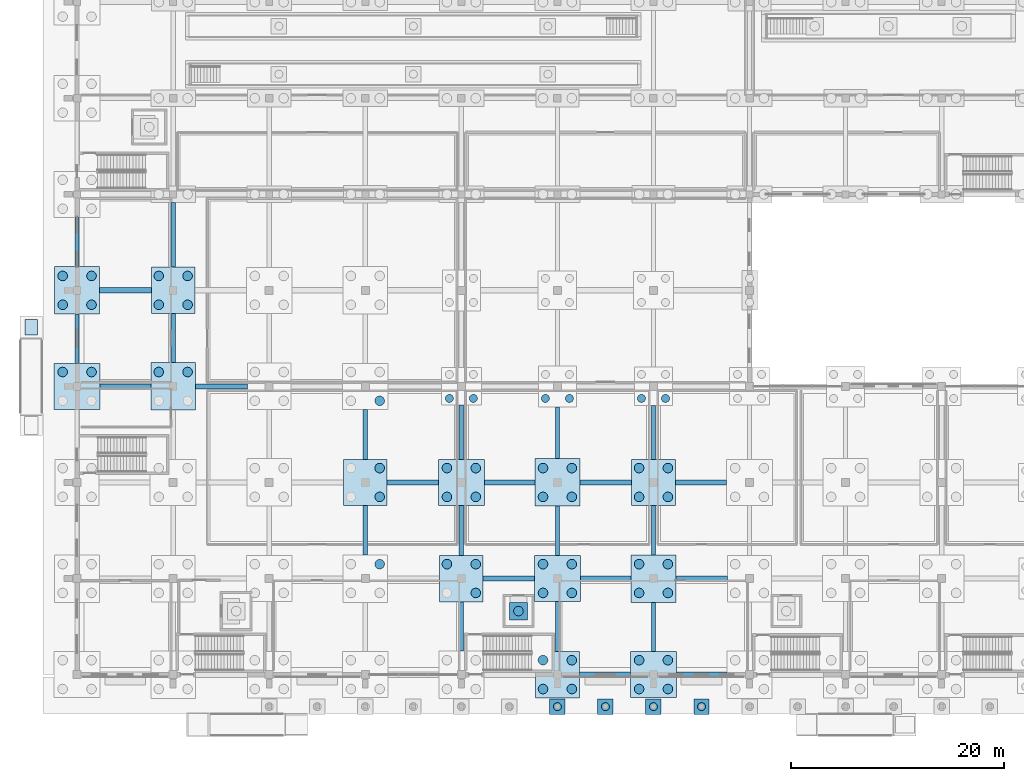
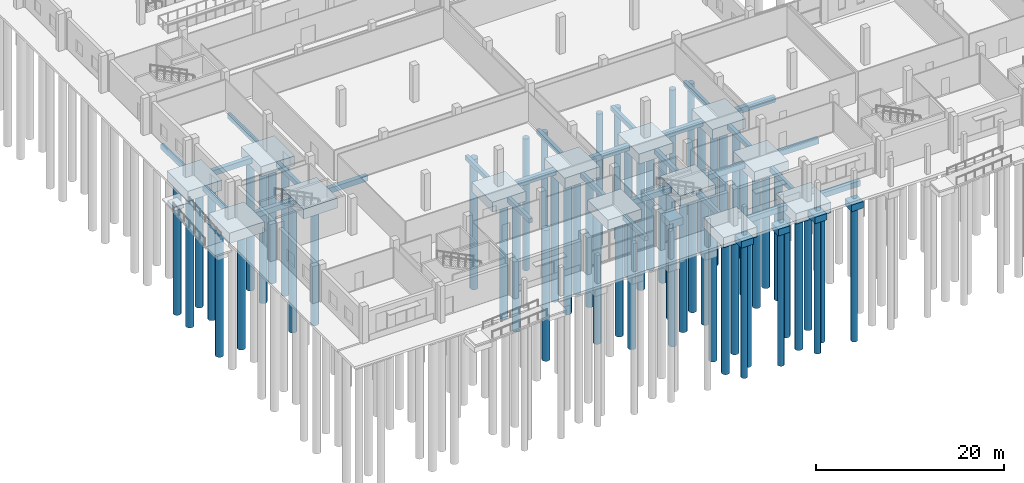
# One storey, part 2 of 112: 58 piles, 46 footings.
"""IFC4 building model written with IfcOpenShell, lengths in metres."""

from ifc_helpers import new_model, si_unit, direction, frame, origin, origin_2d, place, context, subcontext, project, spatial, polyline, rectangle, circle, outline, extrude, material, material_profile, profile_set, type_object, element, save


model = new_model("IFC4")

# Units and contexts
model_context = context("Model", 3, precision=1e-05, world=origin(), true_north=direction((0.0, 1.0)))
body_context = subcontext(model_context, "Body", "Model", "MODEL_VIEW")
ifc_project = project(units=[si_unit("LENGTHUNIT", "METRE"), si_unit("AREAUNIT", "SQUARE_METRE"), si_unit("VOLUMEUNIT", "CUBIC_METRE"), si_unit("PLANEANGLEUNIT", "RADIAN"), si_unit("MASSUNIT", "GRAM", prefix="KILO")], contexts=[model_context])

# Site, building, storey
site_placement = place(None, origin())
site = spatial("IfcSite", under=ifc_project, at=site_placement, CompositionType="ELEMENT")
building_placement = place(site_placement, origin())
building = spatial("IfcBuilding", under=site, at=building_placement, Name="Tharagai Park Tramway Depot", CompositionType="ELEMENT")
storey_placement = place(building_placement, origin())
storey = spatial("IfcBuildingStorey", under=building, at=storey_placement, Name="L00", CompositionType="ELEMENT", Elevation=0.0)

# Piles
ifc_material = material(Name="Concrete M40", Category="concrete")
ifc_material_profile_1 = material_profile(ifc_material, circle(Radius=0.449951171875, at=origin_2d()), Name="PILE D900")
ifc_profile_set_1 = profile_set([ifc_material_profile_1], Name="Concrete M40")
pile_type_1 = type_object("IfcPileType", Name="BP-01", PredefinedType="BORED", material=ifc_profile_set_1)
for number, where, z_axis, x_axis, name in (
    (1, (-1.35009765625, 28.35009765625, -1.550048828125), (0.0, 0.0, -1.0), (1.0, 0.0, 0.0), "Bored Pile BP-01 (0,27) #3"),
    (2, (1.35009765625, 28.35009765625, -1.550048828125), (0.0, 0.0, -1.0), (1.0, 0.0, 0.0), "Bored Pile BP-01 (0,27) #4"),
):
    element("IfcPile", number, at=place(storey_placement, frame(where, z_axis=z_axis, x_axis=x_axis)), inside=storey, type_object=pile_type_1, Name=name, PredefinedType="BORED", context=body_context, shape_type="SweptSolid", body=[
        extrude(circle(Radius=0.449951171875, at=origin_2d()), origin(), (0.0, 0.0, 1.0), 16.949951171875),
    ])
for number, where, z_axis, x_axis, name in (
    (3, (-1.35009765625, 34.64990234375, -1.5), (0.0, 0.0, -1.0), (1.0, 0.0, 0.0), "Bored Pile BP-01 (0,36) #1"),
    (4, (1.35009765625, 34.64990234375, -1.5), (0.0, 0.0, -1.0), (1.0, 0.0, 0.0), "Bored Pile BP-01 (0,36) #2"),
    (5, (-1.35009765625, 37.35009765625, -1.5), (0.0, 0.0, -1.0), (1.0, 0.0, 0.0), "Bored Pile BP-01 (0,36) #3"),
    (6, (1.35009765625, 37.35009765625, -1.5), (0.0, 0.0, -1.0), (1.0, 0.0, 0.0), "Bored Pile BP-01 (0,36) #4"),
    (7, (7.64990234375, 28.35009765625, -1.5), (0.0, 0.0, -1.0), (1.0, 0.0, 0.0), "Bored Pile BP-01 (9,27) #3"),
    (8, (10.35009765625, 28.35009765625, -1.5), (0.0, 0.0, -1.0), (1.0, 0.0, 0.0), "Bored Pile BP-01 (9,27) #4"),
):
    element("IfcPile", number, at=place(storey_placement, frame(where, z_axis=z_axis, x_axis=x_axis)), inside=storey, type_object=pile_type_1, Name=name, PredefinedType="BORED", context=body_context, shape_type="SweptSolid", body=[
        extrude(circle(Radius=0.449951171875, at=origin_2d()), origin(), (0.0, 0.0, 1.0), 17.0),
    ])
for number, where, z_axis, x_axis, name in (
    (9, (7.64990234375, 34.64990234375, -1.47998046875), (0.0, 0.0, -1.0), (1.0, 0.0, 0.0), "Bored Pile BP-01 (9,36) #1"),
    (10, (10.35009765625, 34.64990234375, -1.47998046875), (0.0, 0.0, -1.0), (1.0, 0.0, 0.0), "Bored Pile BP-01 (9,36) #2"),
    (11, (7.64990234375, 37.35009765625, -1.47998046875), (0.0, 0.0, -1.0), (1.0, 0.0, 0.0), "Bored Pile BP-01 (9,36) #3"),
    (12, (10.35009765625, 37.35009765625, -1.47998046875), (0.0, 0.0, -1.0), (1.0, 0.0, 0.0), "Bored Pile BP-01 (9,36) #4"),
):
    element("IfcPile", number, at=place(storey_placement, frame(where, z_axis=z_axis, x_axis=x_axis)), inside=storey, type_object=pile_type_1, Name=name, PredefinedType="BORED", context=body_context, shape_type="SweptSolid", body=[
        extrude(circle(Radius=0.449951171875, at=origin_2d()), origin(), (0.0, 0.0, 1.0), 17.02001953125),
    ])
pile_1_placement = place(storey_placement, frame((28.35009765625, 10.35009765625, -1.5), z_axis=(0.0, 0.0, -1.0), x_axis=(1.0, 0.0, 0.0)))
element("IfcPile", 13, at=pile_1_placement, inside=storey, type_object=pile_type_1, Name="Bored Pile BP-01 (27,9) #4", PredefinedType="BORED", context=body_context, shape_type="SweptSolid", body=[
    extrude(circle(Radius=0.449951171875, at=origin_2d()), origin(), (0.0, 0.0, 1.0), 17.0),
])
for number, where, z_axis, x_axis, name in (
    (14, (28.35009765625, 16.64990234375, -1.47998046875), (0.0, 0.0, -1.0), (1.0, 0.0, 0.0), "Bored Pile BP-01 (27,18) #2"),
    (15, (28.35009765625, 19.35009765625, -1.47998046875), (0.0, 0.0, -1.0), (1.0, 0.0, 0.0), "Bored Pile BP-01 (27,18) #4"),
):
    element("IfcPile", number, at=place(storey_placement, frame(where, z_axis=z_axis, x_axis=x_axis)), inside=storey, type_object=pile_type_1, Name=name, PredefinedType="BORED", context=body_context, shape_type="SweptSolid", body=[
        extrude(circle(Radius=0.449951171875, at=origin_2d()), origin(), (0.0, 0.0, 1.0), 17.02001953125),
    ])
pile_2_placement = place(storey_placement, frame((28.35009765625, 25.64990234375, -1.550048828125), z_axis=(0.0, 0.0, -1.0), x_axis=(1.0, 0.0, 0.0)))
element("IfcPile", 16, at=pile_2_placement, inside=storey, type_object=pile_type_1, Name="Bored Pile BP-01 (27,27) #2", PredefinedType="BORED", context=body_context, shape_type="SweptSolid", body=[
    extrude(circle(Radius=0.449951171875, at=origin_2d()), origin(), (0.0, 0.0, 1.0), 16.949951171875),
])
for number, where, z_axis, x_axis, name in (
    (17, (37.35009765625, 7.64990234375, -1.47998046875), (0.0, 0.0, -1.0), (1.0, 0.0, 0.0), "Bored Pile BP-01 (36,9) #2"),
    (18, (34.64990234375, 10.35009765625, -1.47998046875), (0.0, 0.0, -1.0), (1.0, 0.0, 0.0), "Bored Pile BP-01 (36,9) #3"),
    (19, (37.35009765625, 10.35009765625, -1.47998046875), (0.0, 0.0, -1.0), (1.0, 0.0, 0.0), "Bored Pile BP-01 (36,9) #4"),
):
    element("IfcPile", number, at=place(storey_placement, frame(where, z_axis=z_axis, x_axis=x_axis)), inside=storey, type_object=pile_type_1, Name=name, PredefinedType="BORED", context=body_context, shape_type="SweptSolid", body=[
        extrude(circle(Radius=0.449951171875, at=origin_2d()), origin(), (0.0, 0.0, 1.0), 17.02001953125),
    ])
for number, where, z_axis, x_axis, name in (
    (20, (34.64990234375, 16.64990234375, -1.550048828125), (0.0, 0.0, -1.0), (1.0, 0.0, 0.0), "Bored Pile BP-01 (36,18) #1"),
    (21, (37.35009765625, 16.64990234375, -1.550048828125), (0.0, 0.0, -1.0), (1.0, 0.0, 0.0), "Bored Pile BP-01 (36,18) #2"),
    (22, (34.64990234375, 19.35009765625, -1.550048828125), (0.0, 0.0, -1.0), (1.0, 0.0, 0.0), "Bored Pile BP-01 (36,18) #3"),
    (23, (37.35009765625, 19.35009765625, -1.550048828125), (0.0, 0.0, -1.0), (1.0, 0.0, 0.0), "Bored Pile BP-01 (36,18) #4"),
):
    element("IfcPile", number, at=place(storey_placement, frame(where, z_axis=z_axis, x_axis=x_axis)), inside=storey, type_object=pile_type_1, Name=name, PredefinedType="BORED", context=body_context, shape_type="SweptSolid", body=[
        extrude(circle(Radius=0.449951171875, at=origin_2d()), origin(), (0.0, 0.0, 1.0), 16.949951171875),
    ])
for number, where, z_axis, x_axis, name in (
    (24, (43.64990234375, -1.35009765625, -1.47998046875), (0.0, 0.0, -1.0), (1.0, 0.0, 0.0), "Bored Pile BP-01 (45,0) #1"),
    (25, (46.35009765625, -1.35009765625, -1.47998046875), (0.0, 0.0, -1.0), (1.0, 0.0, 0.0), "Bored Pile BP-01 (45,0) #2"),
    (26, (43.64990234375, 1.35009765625, -1.47998046875), (0.0, 0.0, -1.0), (1.0, 0.0, 0.0), "Bored Pile BP-01 (45,0) #3"),
    (27, (46.35009765625, 1.35009765625, -1.47998046875), (0.0, 0.0, -1.0), (1.0, 0.0, 0.0), "Bored Pile BP-01 (45,0) #4"),
):
    element("IfcPile", number, at=place(storey_placement, frame(where, z_axis=z_axis, x_axis=x_axis)), inside=storey, type_object=pile_type_1, Name=name, PredefinedType="BORED", context=body_context, shape_type="SweptSolid", body=[
        extrude(circle(Radius=0.449951171875, at=origin_2d()), origin(), (0.0, 0.0, 1.0), 17.02001953125),
    ])
for number, where, z_axis, x_axis, name in (
    (28, (43.64990234375, 7.64990234375, -1.550048828125), (0.0, 0.0, -1.0), (1.0, 0.0, 0.0), "Bored Pile BP-01 (45,9) #1"),
    (29, (46.35009765625, 7.64990234375, -1.550048828125), (0.0, 0.0, -1.0), (1.0, 0.0, 0.0), "Bored Pile BP-01 (45,9) #2"),
    (30, (43.64990234375, 10.35009765625, -1.550048828125), (0.0, 0.0, -1.0), (1.0, 0.0, 0.0), "Bored Pile BP-01 (45,9) #3"),
    (31, (46.35009765625, 10.35009765625, -1.550048828125), (0.0, 0.0, -1.0), (1.0, 0.0, 0.0), "Bored Pile BP-01 (45,9) #4"),
):
    element("IfcPile", number, at=place(storey_placement, frame(where, z_axis=z_axis, x_axis=x_axis)), inside=storey, type_object=pile_type_1, Name=name, PredefinedType="BORED", context=body_context, shape_type="SweptSolid", body=[
        extrude(circle(Radius=0.449951171875, at=origin_2d()), origin(), (0.0, 0.0, 1.0), 16.949951171875),
    ])
for number, where, z_axis, x_axis, name in (
    (32, (43.64990234375, 16.64990234375, -1.5), (0.0, 0.0, -1.0), (1.0, 0.0, 0.0), "Bored Pile BP-01 (45,18) #1"),
    (33, (46.35009765625, 16.64990234375, -1.5), (0.0, 0.0, -1.0), (1.0, 0.0, 0.0), "Bored Pile BP-01 (45,18) #2"),
    (34, (43.64990234375, 19.35009765625, -1.5), (0.0, 0.0, -1.0), (1.0, 0.0, 0.0), "Bored Pile BP-01 (45,18) #3"),
    (35, (46.35009765625, 19.35009765625, -1.5), (0.0, 0.0, -1.0), (1.0, 0.0, 0.0), "Bored Pile BP-01 (45,18) #4"),
):
    element("IfcPile", number, at=place(storey_placement, frame(where, z_axis=z_axis, x_axis=x_axis)), inside=storey, type_object=pile_type_1, Name=name, PredefinedType="BORED", context=body_context, shape_type="SweptSolid", body=[
        extrude(circle(Radius=0.449951171875, at=origin_2d()), origin(), (0.0, 0.0, 1.0), 17.0),
    ])
for number, where, z_axis, x_axis, name in (
    (36, (52.64990234375, -1.35009765625, -1.550048828125), (0.0, 0.0, -1.0), (1.0, 0.0, 0.0), "Bored Pile BP-01 (54,0) #1"),
    (37, (55.35009765625, -1.35009765625, -1.550048828125), (0.0, 0.0, -1.0), (1.0, 0.0, 0.0), "Bored Pile BP-01 (54,0) #2"),
    (38, (52.64990234375, 1.35009765625, -1.550048828125), (0.0, 0.0, -1.0), (1.0, 0.0, 0.0), "Bored Pile BP-01 (54,0) #3"),
    (39, (55.35009765625, 1.35009765625, -1.550048828125), (0.0, 0.0, -1.0), (1.0, 0.0, 0.0), "Bored Pile BP-01 (54,0) #4"),
):
    element("IfcPile", number, at=place(storey_placement, frame(where, z_axis=z_axis, x_axis=x_axis)), inside=storey, type_object=pile_type_1, Name=name, PredefinedType="BORED", context=body_context, shape_type="SweptSolid", body=[
        extrude(circle(Radius=0.449951171875, at=origin_2d()), origin(), (0.0, 0.0, 1.0), 16.949951171875),
    ])
for number, where, z_axis, x_axis, name in (
    (40, (52.64990234375, 7.64990234375, -1.5), (0.0, 0.0, -1.0), (1.0, 0.0, 0.0), "Bored Pile BP-01 (54,9) #1"),
    (41, (55.35009765625, 7.64990234375, -1.5), (0.0, 0.0, -1.0), (1.0, 0.0, 0.0), "Bored Pile BP-01 (54,9) #2"),
    (42, (52.64990234375, 10.35009765625, -1.5), (0.0, 0.0, -1.0), (1.0, 0.0, 0.0), "Bored Pile BP-01 (54,9) #3"),
    (43, (55.35009765625, 10.35009765625, -1.5), (0.0, 0.0, -1.0), (1.0, 0.0, 0.0), "Bored Pile BP-01 (54,9) #4"),
):
    element("IfcPile", number, at=place(storey_placement, frame(where, z_axis=z_axis, x_axis=x_axis)), inside=storey, type_object=pile_type_1, Name=name, PredefinedType="BORED", context=body_context, shape_type="SweptSolid", body=[
        extrude(circle(Radius=0.449951171875, at=origin_2d()), origin(), (0.0, 0.0, 1.0), 17.0),
    ])
for number, where, z_axis, x_axis, name in (
    (44, (52.64990234375, 16.64990234375, -1.47998046875), (0.0, 0.0, -1.0), (1.0, 0.0, 0.0), "Bored Pile BP-01 (54,18) #1"),
    (45, (55.35009765625, 16.64990234375, -1.47998046875), (0.0, 0.0, -1.0), (1.0, 0.0, 0.0), "Bored Pile BP-01 (54,18) #2"),
    (46, (52.64990234375, 19.35009765625, -1.47998046875), (0.0, 0.0, -1.0), (1.0, 0.0, 0.0), "Bored Pile BP-01 (54,18) #3"),
    (47, (55.35009765625, 19.35009765625, -1.47998046875), (0.0, 0.0, -1.0), (1.0, 0.0, 0.0), "Bored Pile BP-01 (54,18) #4"),
):
    element("IfcPile", number, at=place(storey_placement, frame(where, z_axis=z_axis, x_axis=x_axis)), inside=storey, type_object=pile_type_1, Name=name, PredefinedType="BORED", context=body_context, shape_type="SweptSolid", body=[
        extrude(circle(Radius=0.449951171875, at=origin_2d()), origin(), (0.0, 0.0, 1.0), 17.02001953125),
    ])
pile_3_placement = place(storey_placement, frame((41.35009765625, 5.949951171875, -2.60009765625), z_axis=(0.0, 0.0, -1.0), x_axis=(1.0, 0.0, 0.0)))
element("IfcPile", 48, at=pile_3_placement, inside=storey, type_object=pile_type_1, Name="Lift LP-01 Pit Bored Pile", PredefinedType="BORED", context=body_context, shape_type="SweptSolid", body=[
    extrude(circle(Radius=0.449951171875, at=origin_2d()), origin(), (0.0, 0.0, 1.0), 15.89990234375),
])
ifc_material_profile_2 = material_profile(ifc_material, circle(Radius=0.375, at=origin_2d()), Name="PILE D750")
ifc_profile_set_2 = profile_set([ifc_material_profile_2], Name="Concrete M40")
pile_type_2 = type_object("IfcPileType", Name="BP-02", PredefinedType="BORED", material=ifc_profile_set_2)
for number, where, z_axis, x_axis, name in (
    (49, (34.875, 25.875, -1.39990234375), (0.0, 0.0, -1.0), (1.0, 0.0, 0.0), "Bored Pile BP-02 (36,27) #1"),
    (50, (37.125, 25.875, -1.39990234375), (0.0, 0.0, -1.0), (1.0, 0.0, 0.0), "Bored Pile BP-02 (36,27) #2"),
):
    element("IfcPile", number, at=place(storey_placement, frame(where, z_axis=z_axis, x_axis=x_axis)), inside=storey, type_object=pile_type_2, Name=name, PredefinedType="BORED", context=body_context, shape_type="SweptSolid", body=[
        extrude(circle(Radius=0.375, at=origin_2d()), origin(), (0.0, 0.0, 1.0), 17.10009765625),
    ])
for number, where, z_axis, x_axis, name in (
    (51, (43.875, 25.875, -1.320068359375), (0.0, 0.0, -1.0), (1.0, 0.0, 0.0), "Bored Pile BP-02 (45,27) #1"),
    (52, (46.125, 25.875, -1.320068359375), (0.0, 0.0, -1.0), (1.0, 0.0, 0.0), "Bored Pile BP-02 (45,27) #2"),
):
    element("IfcPile", number, at=place(storey_placement, frame(where, z_axis=z_axis, x_axis=x_axis)), inside=storey, type_object=pile_type_2, Name=name, PredefinedType="BORED", context=body_context, shape_type="SweptSolid", body=[
        extrude(circle(Radius=0.375, at=origin_2d()), origin(), (0.0, 0.0, 1.0), 17.179931640625),
    ])
for number, where, z_axis, x_axis, name in (
    (53, (52.875, 25.875, -1.35009765625), (0.0, 0.0, -1.0), (1.0, 0.0, 0.0), "Bored Pile BP-02 (54,27) #1"),
    (54, (55.125, 25.875, -1.35009765625), (0.0, 0.0, -1.0), (1.0, 0.0, 0.0), "Bored Pile BP-02 (54,27) #2"),
):
    element("IfcPile", number, at=place(storey_placement, frame(where, z_axis=z_axis, x_axis=x_axis)), inside=storey, type_object=pile_type_2, Name=name, PredefinedType="BORED", context=body_context, shape_type="SweptSolid", body=[
        extrude(circle(Radius=0.375, at=origin_2d()), origin(), (0.0, 0.0, 1.0), 17.14990234375),
    ])
for number, where, z_axis, x_axis, name in (
    (55, (45.0, -3.0, -1.06005859375), (0.0, 0.0, -1.0), (1.0, 0.0, 0.0), "Park Cloister Pier Bored Pile BP-02"),
    (56, (49.5, -3.0, -1.06005859375), (0.0, 0.0, -1.0), (1.0, 0.0, 0.0), "Park Cloister Pier Bored Pile BP-02"),
    (57, (54.0, -3.0, -1.06005859375), (0.0, 0.0, -1.0), (1.0, 0.0, 0.0), "Park Cloister Pier Bored Pile BP-02"),
    (58, (58.5, -3.0, -1.06005859375), (0.0, 0.0, -1.0), (1.0, 0.0, 0.0), "Park Cloister Pier Bored Pile BP-02"),
):
    element("IfcPile", number, at=place(storey_placement, frame(where, z_axis=z_axis, x_axis=x_axis)), inside=storey, type_object=pile_type_2, Name=name, PredefinedType="BORED", context=body_context, shape_type="SweptSolid", body=[
        extrude(circle(Radius=0.375, at=origin_2d()), origin(), (0.0, 0.0, 1.0), 17.43994140625),
    ])

# Footings
footing_type_1 = type_object("IfcFootingType", Name="GB-02", PredefinedType="FOOTING_BEAM", material=ifc_material)
footing_1_placement = place(storey_placement, frame((0.0, 0.0, -1.0)))
element("IfcFooting", 59, at=footing_1_placement, inside=storey, type_object=footing_type_1, Name="Ground Tie Beam GB-02", PredefinedType="FOOTING_BEAM", context=body_context, shape_type="SweptSolid", body=[
    extrude(outline(polyline([(47.050048828125, -0.25), (51.85009765625, -0.25), (51.85009765625, 0.25), (47.050048828125, 0.25), (47.050048828125, -0.25)])), origin(), (0.0, 0.0, 1.0), 0.699951171875),
])
footing_2_placement = place(storey_placement, frame((0.0, 0.0, -1.0)))
element("IfcFooting", 60, at=footing_2_placement, inside=storey, type_object=footing_type_1, Name="Ground Tie Beam GB-02", PredefinedType="FOOTING_BEAM", context=body_context, shape_type="SweptSolid", body=[
    extrude(outline(polyline([(56.14990234375, -0.25), (60.89990234375, -0.25), (60.89990234375, 0.25), (56.14990234375, 0.25), (56.14990234375, -0.25)])), origin(), (0.0, 0.0, 1.0), 0.699951171875),
])
footing_3_placement = place(storey_placement, frame((0.0, 0.0, -1.0)))
element("IfcFooting", 61, at=footing_3_placement, inside=storey, type_object=footing_type_1, Name="Ground Tie Beam GB-02", PredefinedType="FOOTING_BEAM", context=body_context, shape_type="SweptSolid", body=[
    extrude(outline(polyline([(38.050048828125, 8.75), (42.85009765625, 8.75), (42.85009765625, 9.25), (38.050048828125, 9.25), (38.050048828125, 8.75)])), origin(), (0.0, 0.0, 1.0), 0.699951171875),
])
footing_4_placement = place(storey_placement, frame((0.0, 0.0, -1.0)))
element("IfcFooting", 62, at=footing_4_placement, inside=storey, type_object=footing_type_1, Name="Ground Tie Beam GB-02", PredefinedType="FOOTING_BEAM", context=body_context, shape_type="SweptSolid", body=[
    extrude(outline(polyline([(47.14990234375, 8.75), (51.89990234375, 8.75), (51.89990234375, 9.25), (47.14990234375, 9.25), (47.14990234375, 8.75)])), origin(), (0.0, 0.0, 1.0), 0.699951171875),
])
footing_5_placement = place(storey_placement, frame((0.0, 0.0, -1.0)))
element("IfcFooting", 63, at=footing_5_placement, inside=storey, type_object=footing_type_1, Name="Ground Tie Beam GB-02", PredefinedType="FOOTING_BEAM", context=body_context, shape_type="SweptSolid", body=[
    extrude(outline(polyline([(56.10009765625, 8.75), (60.949951171875, 8.75), (60.949951171875, 9.25), (56.10009765625, 9.25), (56.10009765625, 8.75)])), origin(), (0.0, 0.0, 1.0), 0.699951171875),
])
footing_6_placement = place(storey_placement, frame((0.0, 0.0, -1.0)))
element("IfcFooting", 64, at=footing_6_placement, inside=storey, type_object=footing_type_1, Name="Ground Tie Beam GB-02", PredefinedType="FOOTING_BEAM", context=body_context, shape_type="SweptSolid", body=[
    extrude(outline(polyline([(29.050048828125, 17.75), (33.85009765625, 17.75), (33.85009765625, 18.25), (29.050048828125, 18.25), (29.050048828125, 17.75)])), origin(), (0.0, 0.0, 1.0), 0.699951171875),
])
footing_7_placement = place(storey_placement, frame((0.0, 0.0, -1.0)))
element("IfcFooting", 65, at=footing_7_placement, inside=storey, type_object=footing_type_1, Name="Ground Tie Beam GB-02", PredefinedType="FOOTING_BEAM", context=body_context, shape_type="SweptSolid", body=[
    extrude(outline(polyline([(38.14990234375, 17.75), (42.89990234375, 17.75), (42.89990234375, 18.25), (38.14990234375, 18.25), (38.14990234375, 17.75)])), origin(), (0.0, 0.0, 1.0), 0.699951171875),
])
footing_8_placement = place(storey_placement, frame((0.0, 0.0, -1.0)))
element("IfcFooting", 66, at=footing_8_placement, inside=storey, type_object=footing_type_1, Name="Ground Tie Beam GB-02", PredefinedType="FOOTING_BEAM", context=body_context, shape_type="SweptSolid", body=[
    extrude(outline(polyline([(47.10009765625, 17.75), (51.949951171875, 17.75), (51.949951171875, 18.25), (47.10009765625, 18.25), (47.10009765625, 17.75)])), origin(), (0.0, 0.0, 1.0), 0.699951171875),
])
footing_9_placement = place(storey_placement, frame((0.0, 0.0, -1.0)))
element("IfcFooting", 67, at=footing_9_placement, inside=storey, type_object=footing_type_1, Name="Ground Tie Beam GB-02", PredefinedType="FOOTING_BEAM", context=body_context, shape_type="SweptSolid", body=[
    extrude(outline(polyline([(56.050048828125, 17.75), (60.85009765625, 17.75), (60.85009765625, 18.25), (56.050048828125, 18.25), (56.050048828125, 17.75)])), origin(), (0.0, 0.0, 1.0), 0.699951171875),
])
footing_10_placement = place(storey_placement, frame((0.0, 0.0, -1.0)))
element("IfcFooting", 68, at=footing_10_placement, inside=storey, type_object=footing_type_1, Name="Ground Tie Beam GB-02", PredefinedType="FOOTING_BEAM", context=body_context, shape_type="SweptSolid", body=[
    extrude(outline(polyline([(2.14990234375, 26.75), (6.89990234375, 26.75), (6.89990234375, 27.25), (2.14990234375, 27.25), (2.14990234375, 26.75)])), origin(), (0.0, 0.0, 1.0), 0.699951171875),
])
footing_11_placement = place(storey_placement, frame((0.0, 0.0, -1.0)))
element("IfcFooting", 69, at=footing_11_placement, inside=storey, type_object=footing_type_1, Name="Ground Tie Beam GB-02", PredefinedType="FOOTING_BEAM", context=body_context, shape_type="SweptSolid", body=[
    extrude(outline(polyline([(11.10009765625, 26.75), (15.949951171875, 26.75), (15.949951171875, 27.25), (11.10009765625, 27.25), (11.10009765625, 26.75)])), origin(), (0.0, 0.0, 1.0), 0.699951171875),
])
footing_12_placement = place(storey_placement, frame((0.0, 0.0, -1.0)))
element("IfcFooting", 70, at=footing_12_placement, inside=storey, type_object=footing_type_1, Name="Ground Tie Beam GB-02", PredefinedType="FOOTING_BEAM", context=body_context, shape_type="SweptSolid", body=[
    extrude(outline(polyline([(2.10009765625, 35.75), (6.949951171875, 35.75), (6.949951171875, 36.25), (2.10009765625, 36.25), (2.10009765625, 35.75)])), origin(), (0.0, 0.0, 1.0), 0.699951171875),
])
footing_type_2 = type_object("IfcFootingType", Name="GB-04", PredefinedType="FOOTING_BEAM", material=ifc_material)
footing_13_placement = place(storey_placement, frame((0.0, 0.0, -0.89990234375)))
element("IfcFooting", 71, at=footing_13_placement, inside=storey, type_object=footing_type_2, Name="Ground Tie Beam GB-04", PredefinedType="FOOTING_BEAM", context=body_context, shape_type="SweptSolid", body=[
    extrude(outline(polyline([(-0.199951171875, 29.14990234375), (0.199951171875, 29.14990234375), (0.199951171875, 33.77490234375), (-0.199951171875, 33.77490234375), (-0.199951171875, 29.14990234375)])), origin(), (0.0, 0.0, 1.0), 0.599853515625),
])
footing_14_placement = place(storey_placement, frame((0.0, 0.0, -0.89990234375)))
element("IfcFooting", 72, at=footing_14_placement, inside=storey, type_object=footing_type_2, Name="Ground Tie Beam GB-04", PredefinedType="FOOTING_BEAM", context=body_context, shape_type="SweptSolid", body=[
    extrude(outline(polyline([(-0.199951171875, 38.22509765625), (0.199951171875, 38.22509765625), (0.199951171875, 42.85009765625), (-0.199951171875, 42.85009765625), (-0.199951171875, 38.22509765625)])), origin(), (0.0, 0.0, 1.0), 0.599853515625),
])
footing_15_placement = place(storey_placement, frame((0.0, 0.0, -0.89990234375)))
element("IfcFooting", 73, at=footing_15_placement, inside=storey, type_object=footing_type_2, Name="Ground Tie Beam GB-04", PredefinedType="FOOTING_BEAM", context=body_context, shape_type="SweptSolid", body=[
    extrude(outline(polyline([(8.800048828125, 29.22509765625), (9.199951171875, 29.22509765625), (9.199951171875, 33.824951171875), (8.800048828125, 33.824951171875), (8.800048828125, 29.22509765625)])), origin(), (0.0, 0.0, 1.0), 0.599853515625),
])
footing_16_placement = place(storey_placement, frame((0.0, 0.0, -0.89990234375)))
element("IfcFooting", 74, at=footing_16_placement, inside=storey, type_object=footing_type_2, Name="Ground Tie Beam GB-04", PredefinedType="FOOTING_BEAM", context=body_context, shape_type="SweptSolid", body=[
    extrude(outline(polyline([(8.800048828125, 38.175048828125), (9.199951171875, 38.175048828125), (9.199951171875, 44.22509765625), (8.800048828125, 44.22509765625), (8.800048828125, 38.175048828125)])), origin(), (0.0, 0.0, 1.0), 0.599853515625),
])
footing_17_placement = place(storey_placement, frame((0.0, 0.0, -0.89990234375)))
element("IfcFooting", 75, at=footing_17_placement, inside=storey, type_object=footing_type_2, Name="Ground Tie Beam GB-04", PredefinedType="FOOTING_BEAM", context=body_context, shape_type="SweptSolid", body=[
    extrude(outline(polyline([(26.800048828125, 11.22509765625), (27.199951171875, 11.22509765625), (27.199951171875, 15.824951171875), (26.800048828125, 15.824951171875), (26.800048828125, 11.22509765625)])), origin(), (0.0, 0.0, 1.0), 0.599853515625),
])
footing_18_placement = place(storey_placement, frame((0.0, 0.0, -0.89990234375)))
element("IfcFooting", 76, at=footing_18_placement, inside=storey, type_object=footing_type_2, Name="Ground Tie Beam GB-04", PredefinedType="FOOTING_BEAM", context=body_context, shape_type="SweptSolid", body=[
    extrude(outline(polyline([(26.800048828125, 20.175048828125), (27.199951171875, 20.175048828125), (27.199951171875, 24.85009765625), (26.800048828125, 24.85009765625), (26.800048828125, 20.175048828125)])), origin(), (0.0, 0.0, 1.0), 0.599853515625),
])
footing_19_placement = place(storey_placement, frame((0.0, 0.0, -0.89990234375)))
element("IfcFooting", 77, at=footing_19_placement, inside=storey, type_object=footing_type_2, Name="Ground Tie Beam GB-04", PredefinedType="FOOTING_BEAM", context=body_context, shape_type="SweptSolid", body=[
    extrude(outline(polyline([(35.800048828125, 2.22509765625), (36.199951171875, 2.22509765625), (36.199951171875, 6.824951171875), (35.800048828125, 6.824951171875), (35.800048828125, 2.22509765625)])), origin(), (0.0, 0.0, 1.0), 0.599853515625),
])
footing_20_placement = place(storey_placement, frame((0.0, 0.0, -0.89990234375)))
element("IfcFooting", 78, at=footing_20_placement, inside=storey, type_object=footing_type_2, Name="Ground Tie Beam GB-04", PredefinedType="FOOTING_BEAM", context=body_context, shape_type="SweptSolid", body=[
    extrude(outline(polyline([(35.800048828125, 11.175048828125), (36.199951171875, 11.175048828125), (36.199951171875, 15.85009765625), (35.800048828125, 15.85009765625), (35.800048828125, 11.175048828125)])), origin(), (0.0, 0.0, 1.0), 0.599853515625),
])
footing_21_placement = place(storey_placement, frame((0.0, 0.0, -0.89990234375)))
element("IfcFooting", 79, at=footing_21_placement, inside=storey, type_object=footing_type_2, Name="Ground Tie Beam GB-04", PredefinedType="FOOTING_BEAM", context=body_context, shape_type="SweptSolid", body=[
    extrude(outline(polyline([(35.800048828125, 20.14990234375), (36.199951171875, 20.14990234375), (36.199951171875, 25.25), (35.800048828125, 25.25), (35.800048828125, 20.14990234375)])), origin(), (0.0, 0.0, 1.0), 0.599853515625),
])
footing_22_placement = place(storey_placement, frame((0.0, 0.0, -0.89990234375)))
element("IfcFooting", 80, at=footing_22_placement, inside=storey, type_object=footing_type_2, Name="Ground Tie Beam GB-04", PredefinedType="FOOTING_BEAM", context=body_context, shape_type="SweptSolid", body=[
    extrude(outline(polyline([(44.800048828125, 2.175048828125), (45.199951171875, 2.175048828125), (45.199951171875, 6.85009765625), (44.800048828125, 6.85009765625), (44.800048828125, 2.175048828125)])), origin(), (0.0, 0.0, 1.0), 0.599853515625),
])
footing_23_placement = place(storey_placement, frame((0.0, 0.0, -0.89990234375)))
element("IfcFooting", 81, at=footing_23_placement, inside=storey, type_object=footing_type_2, Name="Ground Tie Beam GB-04", PredefinedType="FOOTING_BEAM", context=body_context, shape_type="SweptSolid", body=[
    extrude(outline(polyline([(44.800048828125, 11.14990234375), (45.199951171875, 11.14990234375), (45.199951171875, 15.77490234375), (44.800048828125, 15.77490234375), (44.800048828125, 11.14990234375)])), origin(), (0.0, 0.0, 1.0), 0.599853515625),
])
footing_24_placement = place(storey_placement, frame((0.0, 0.0, -0.89990234375)))
element("IfcFooting", 82, at=footing_24_placement, inside=storey, type_object=footing_type_2, Name="Ground Tie Beam GB-04", PredefinedType="FOOTING_BEAM", context=body_context, shape_type="SweptSolid", body=[
    extrude(outline(polyline([(44.800048828125, 20.22509765625), (45.199951171875, 20.22509765625), (45.199951171875, 25.074951171875), (44.800048828125, 25.074951171875), (44.800048828125, 20.22509765625)])), origin(), (0.0, 0.0, 1.0), 0.599853515625),
])
footing_25_placement = place(storey_placement, frame((0.0, 0.0, -0.89990234375)))
element("IfcFooting", 83, at=footing_25_placement, inside=storey, type_object=footing_type_2, Name="Ground Tie Beam GB-04", PredefinedType="FOOTING_BEAM", context=body_context, shape_type="SweptSolid", body=[
    extrude(outline(polyline([(53.800048828125, 2.14990234375), (54.199951171875, 2.14990234375), (54.199951171875, 6.77490234375), (53.800048828125, 6.77490234375), (53.800048828125, 2.14990234375)])), origin(), (0.0, 0.0, 1.0), 0.599853515625),
])
footing_26_placement = place(storey_placement, frame((0.0, 0.0, -0.89990234375)))
element("IfcFooting", 84, at=footing_26_placement, inside=storey, type_object=footing_type_2, Name="Ground Tie Beam GB-04", PredefinedType="FOOTING_BEAM", context=body_context, shape_type="SweptSolid", body=[
    extrude(outline(polyline([(53.800048828125, 11.22509765625), (54.199951171875, 11.22509765625), (54.199951171875, 15.824951171875), (53.800048828125, 15.824951171875), (53.800048828125, 11.22509765625)])), origin(), (0.0, 0.0, 1.0), 0.599853515625),
])
footing_27_placement = place(storey_placement, frame((0.0, 0.0, -0.89990234375)))
element("IfcFooting", 85, at=footing_27_placement, inside=storey, type_object=footing_type_2, Name="Ground Tie Beam GB-04", PredefinedType="FOOTING_BEAM", context=body_context, shape_type="SweptSolid", body=[
    extrude(outline(polyline([(53.800048828125, 20.175048828125), (54.199951171875, 20.175048828125), (54.199951171875, 25.199951171875), (53.800048828125, 25.199951171875), (53.800048828125, 20.175048828125)])), origin(), (0.0, 0.0, 1.0), 0.599853515625),
])
footing_type_3 = type_object("IfcFootingType", Name="PC-01", PredefinedType="PILE_CAP", material=ifc_material)
for number, where, z_axis, x_axis, name in (
    (86, (0.0, 36.0, -1.60009765625), (0.0, 0.0, 1.0), (1.0, 0.0, 0.0), "Pile Cap PC-01 (0,36)"),
    (87, (9.0, 27.0, -1.60009765625), (0.0, 0.0, 1.0), (1.0, 0.0, 0.0), "Pile Cap PC-01 (9,27)"),
    (88, (45.0, 18.0, -1.60009765625), (0.0, 0.0, 1.0), (1.0, 0.0, 0.0), "Pile Cap PC-01 (45,18)"),
    (89, (54.0, 9.0, -1.60009765625), (0.0, 0.0, 1.0), (1.0, 0.0, 0.0), "Pile Cap PC-01 (54,9)"),
):
    element("IfcFooting", number, at=place(storey_placement, frame(where, z_axis=z_axis, x_axis=x_axis)), inside=storey, type_object=footing_type_3, Name=name, PredefinedType="PILE_CAP", context=body_context, shape_type="SweptSolid", body=[
        extrude(rectangle(XDim=4.199951171875, YDim=4.449951171875, at=origin_2d()), origin(), (0.0, 0.0, 1.0), 1.300048828125),
    ])
footing_type_4 = type_object("IfcFootingType", Name="PC-04", PredefinedType="PILE_CAP", material=ifc_material)
for number, where, z_axis, x_axis, name in (
    (90, (9.0, 36.0, -1.580078125), (0.0, 0.0, 1.0), (1.0, 0.0, 0.0), "Pile Cap PC-04 (9,36)"),
    (91, (27.0, 18.0, -1.580078125), (0.0, 0.0, 1.0), (1.0, 0.0, 0.0), "Pile Cap PC-04 (27,18)"),
    (92, (36.0, 9.0, -1.580078125), (0.0, 0.0, 1.0), (1.0, 0.0, 0.0), "Pile Cap PC-04 (36,9)"),
    (93, (45.0, 0.0, -1.580078125), (0.0, 0.0, 1.0), (1.0, 0.0, 0.0), "Pile Cap PC-04 (45,0)"),
    (94, (54.0, 18.0, -1.580078125), (0.0, 0.0, 1.0), (1.0, 0.0, 0.0), "Pile Cap PC-04 (54,18)"),
):
    element("IfcFooting", number, at=place(storey_placement, frame(where, z_axis=z_axis, x_axis=x_axis)), inside=storey, type_object=footing_type_4, Name=name, PredefinedType="PILE_CAP", context=body_context, shape_type="SweptSolid", body=[
        extrude(rectangle(XDim=4.10009765625, YDim=4.35009765625, at=origin_2d()), origin(), (0.0, 0.0, 1.0), 1.280029296875),
    ])
footing_type_5 = type_object("IfcFootingType", Name="PC-05", PredefinedType="PILE_CAP", material=ifc_material)
for number, where, z_axis, x_axis, name in (
    (95, (0.0, 27.0, -1.650146484375), (0.0, 0.0, 1.0), (1.0, 0.0, 0.0), "Pile Cap PC-05 (0,27)"),
    (96, (36.0, 18.0, -1.650146484375), (0.0, 0.0, 1.0), (1.0, 0.0, 0.0), "Pile Cap PC-05 (36,18)"),
    (97, (45.0, 9.0, -1.650146484375), (0.0, 0.0, 1.0), (1.0, 0.0, 0.0), "Pile Cap PC-05 (45,9)"),
    (98, (54.0, 0.0, -1.650146484375), (0.0, 0.0, 1.0), (1.0, 0.0, 0.0), "Pile Cap PC-05 (54,0)"),
):
    element("IfcFooting", number, at=place(storey_placement, frame(where, z_axis=z_axis, x_axis=x_axis)), inside=storey, type_object=footing_type_5, Name=name, PredefinedType="PILE_CAP", context=body_context, shape_type="SweptSolid", body=[
        extrude(rectangle(XDim=4.300048828125, YDim=4.300048828125, at=origin_2d()), origin(), (0.0, 0.0, 1.0), 1.35009765625),
    ])
footing_type_6 = type_object("IfcFootingType", Name="PC-10", PredefinedType="PILE_CAP", material=ifc_material)
for number, where, z_axis, x_axis, name in (
    (99, (45.0, -3.0, -1.16015625), (0.0, 0.0, 1.0), (1.0, 0.0, 0.0), "Park Cloister Pier Pile Cap PC-10"),
    (100, (49.5, -3.0, -1.16015625), (0.0, 0.0, 1.0), (1.0, 0.0, 0.0), "Park Cloister Pier Pile Cap PC-10"),
    (101, (54.0, -3.0, -1.16015625), (0.0, 0.0, 1.0), (1.0, 0.0, 0.0), "Park Cloister Pier Pile Cap PC-10"),
    (102, (58.5, -3.0, -1.16015625), (0.0, 0.0, 1.0), (1.0, 0.0, 0.0), "Park Cloister Pier Pile Cap PC-10"),
):
    element("IfcFooting", number, at=place(storey_placement, frame(where, z_axis=z_axis, x_axis=x_axis)), inside=storey, type_object=footing_type_6, Name=name, PredefinedType="PILE_CAP", context=body_context, shape_type="SweptSolid", body=[
        extrude(rectangle(XDim=1.449951171875, YDim=1.449951171875, at=origin_2d()), origin(), (0.0, 0.0, 1.0), 0.85009765625),
    ])
footing_type_7 = type_object("IfcFootingType", Name="PC-16", PredefinedType="PILE_CAP", material=ifc_material)
footing_28_placement = place(storey_placement, frame((41.35009765625, 5.949951171875, -2.7001953125), z_axis=(0.0, 0.0, 1.0), x_axis=(1.0, 0.0, 0.0)))
element("IfcFooting", 103, at=footing_28_placement, inside=storey, type_object=footing_type_7, Name="Lift LP-01 Pit Pile Cap", PredefinedType="PILE_CAP", context=body_context, shape_type="SweptSolid", body=[
    extrude(rectangle(XDim=1.64990234375, YDim=1.64990234375, at=origin_2d()), origin(), (0.0, 0.0, 1.0), 0.949951171875),
])
footing_type_8 = type_object("IfcFootingType", Name="PF-02", PredefinedType="PAD_FOOTING", material=ifc_material)
footing_29_placement = place(storey_placement, frame((-4.300048828125, 32.56005859375, -0.669921875), z_axis=(0.0, 0.0, 1.0), x_axis=(1.0, 0.0, 0.0)))
element("IfcFooting", 104, at=footing_29_placement, inside=storey, type_object=footing_type_8, Name="Ramp Pad Footing PF-02", PredefinedType="PAD_FOOTING", context=body_context, shape_type="SweptSolid", body=[
    extrude(rectangle(XDim=1.199951171875, YDim=1.449951171875, at=origin_2d()), origin(), (0.0, 0.0, 1.0), 0.47998046875),
])

save(model, "model.ifc")
